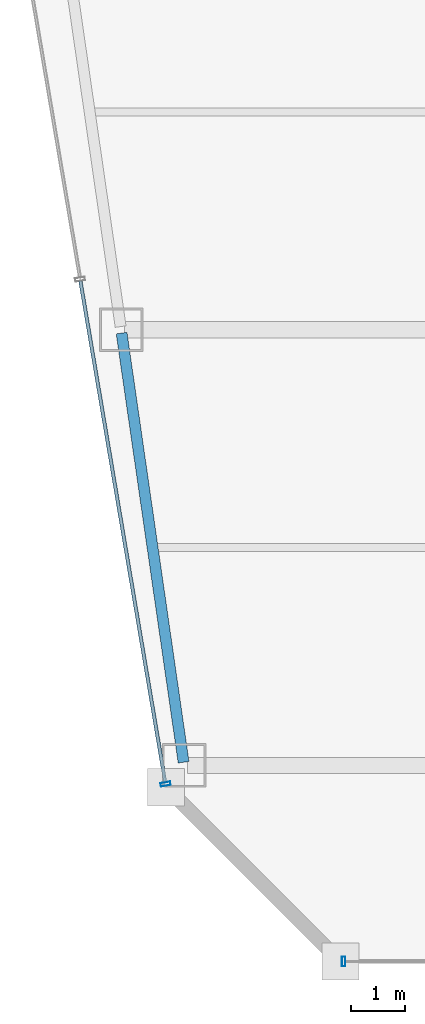
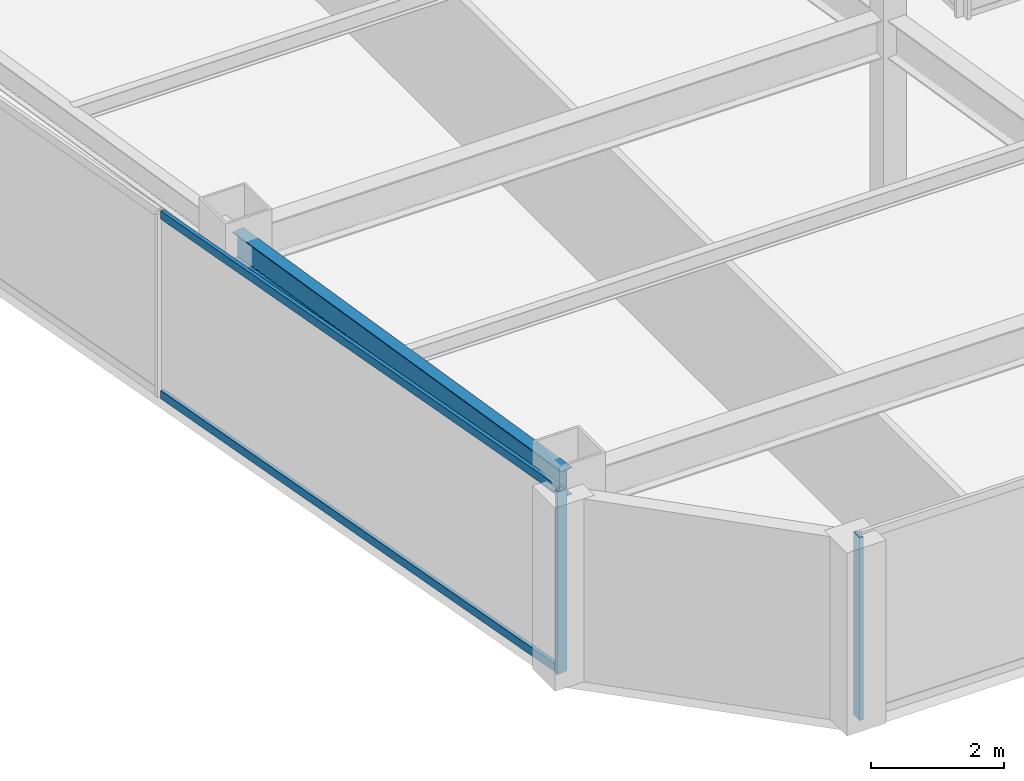
# One storey, part 3 of 34: 4 members, 1 beam, 2 elements without a shape of their own.
"""IFC4 building model written with IfcOpenShell, lengths in metres."""

from ifc_helpers import new_model, si_unit, direction, frame, origin, origin_2d, place, context, subcontext, project, spatial, hollow_rectangle, i_section, extrude, material, material_profile, profile_set, type_object, element, aggregate, save


model = new_model("IFC4")

# Units and contexts
model_context = context("Model", 3, precision=1e-05, world=origin(), true_north=direction((0.0, 1.0)))
body_context = subcontext(model_context, "Body", "Model", "MODEL_VIEW")
ifc_project = project(units=[si_unit("LENGTHUNIT", "METRE"), si_unit("AREAUNIT", "SQUARE_METRE"), si_unit("VOLUMEUNIT", "CUBIC_METRE"), si_unit("PLANEANGLEUNIT", "RADIAN"), si_unit("MASSUNIT", "GRAM", prefix="KILO")], contexts=[model_context])

# Site, building, storey
site_placement = place(None, origin())
site = spatial("IfcSite", under=ifc_project, at=site_placement, CompositionType="ELEMENT")
building_placement = place(site_placement, origin())
building = spatial("IfcBuilding", under=site, at=building_placement, Name="Saevonmaru Cultural Tower", CompositionType="ELEMENT")
storey_placement = place(building_placement, frame((0.0, 0.0, 220.800048828125)))
storey = spatial("IfcBuildingStorey", under=building, at=storey_placement, Name="L51", CompositionType="ELEMENT", Elevation=220.800048828125)

# Beam
ifc_material_1 = material(Name="Steel SM355", Category="steel")
ifc_material_profile_1 = material_profile(ifc_material_1, i_section(OverallWidth=0.199951171875, OverallDepth=0.5, WebThickness=0.010009765625, FlangeThickness=0.01611328125, FilletRadius=0.02001953125, at=origin_2d()), Name="H-500x200x10x16")
ifc_profile_set_1 = profile_set([ifc_material_profile_1], Name="Steel SM355")
beam_type = type_object("IfcBeamType", Name="BM-SP-H500", PredefinedType="SPANDREL", material=ifc_profile_set_1)
beam_placement = place(storey_placement, frame((10.619384765625, 16.059326171875, 3.099853515625), z_axis=(-0.142992129437, 0.989723825579, 0.0), x_axis=(-0.989723825579, -0.142992129437, 0.0)))
element("IfcBeam", 1, at=beam_placement, inside=storey, type_object=beam_type, Name="L51 West Splayed Spandrel 1", PredefinedType="SPANDREL", context=body_context, shape_type="SweptSolid", body=[
    extrude(i_section(OverallWidth=0.199951171875, OverallDepth=0.5, WebThickness=0.010009765625, FlangeThickness=0.01611328125, FilletRadius=0.02001953125, at=origin_2d()), origin(), (0.0, 0.0, 1.0), 7.963134765625),
])

# Curtain wall, member
ifc_material_2 = material(Name="Satin Bronze Anodised Aluminium", Category="aluminium")
curtain_wall_type = type_object("IfcCurtainWallType", Name="CW-TYP-B", PredefinedType="NOTDEFINED", material=ifc_material_2)
curtain_wall_1_placement = place(storey_placement, origin())
curtain_wall_1 = element("IfcCurtainWall", 2, at=curtain_wall_1_placement, inside=storey, type_object=curtain_wall_type, Name="L51 Unitised Curtain Wall E2", PredefinedType="NOTDEFINED")
ifc_material_profile_2 = material_profile(ifc_material_2, hollow_rectangle(XDim=0.06494140625, YDim=0.179931640625, WallThickness=0.00390625, at=origin_2d()), Name="ALU-MULL-180x65x4")
ifc_profile_set_2 = profile_set([ifc_material_profile_2], Name="Satin Bronze Anodised Aluminium")
member_type_1 = type_object("IfcMemberType", Name="ML-CW-180x65", PredefinedType="MULLION", material=ifc_profile_set_2)
member_1_placement = place(storey_placement, frame((13.557861328125, 12.39990234375, 0.0), z_axis=(0.0, 0.0, 1.0), x_axis=(1.0, 0.0, 0.0)))
member_1 = element("IfcMember", 3, at=member_1_placement, type_object=member_type_1, Name="CW-TW-L51-E2 mullion 1", PredefinedType="MULLION", context=body_context, shape_type="SweptSolid", body=[
    extrude(hollow_rectangle(XDim=0.06494140625, YDim=0.179931640625, WallThickness=0.00390625, at=origin_2d()), origin(), (0.0, 0.0, 1.0), 3.349853515625),
])
aggregate(curtain_wall_1, [member_1])

# Curtain wall, members
curtain_wall_2_placement = place(storey_placement, origin())
curtain_wall_2 = element("IfcCurtainWall", 4, at=curtain_wall_2_placement, inside=storey, type_object=curtain_wall_type, Name="L51 Unitised Curtain Wall E12", PredefinedType="NOTDEFINED")
member_2_placement = place(storey_placement, frame((10.287841796875, 15.6591796875, 0.0), z_axis=(0.0, 0.0, 1.0), x_axis=(0.16692169721, -0.985970155228, 0.0)))
member_2 = element("IfcMember", 5, at=member_2_placement, type_object=member_type_1, Name="CW-TW-L51-E12 mullion 5", PredefinedType="MULLION", context=body_context, shape_type="SweptSolid", body=[
    extrude(hollow_rectangle(XDim=0.06494140625, YDim=0.179931640625, WallThickness=0.00390625, at=origin_2d()), origin(), (0.0, 0.0, 1.0), 3.349853515625),
])
ifc_material_profile_3 = material_profile(ifc_material_2, hollow_rectangle(XDim=0.06494140625, YDim=0.14990234375, WallThickness=0.00390625, at=origin_2d()), Name="ALU-TRAN-150x65x4")
ifc_profile_set_3 = profile_set([ifc_material_profile_3], Name="Satin Bronze Anodised Aluminium")
member_type_2 = type_object("IfcMemberType", Name="TR-CW-150x65", PredefinedType="USERDEFINED", material=ifc_profile_set_3)
member_3_placement = place(storey_placement, frame((8.723876953125, 24.8974609375, 0.032470703125), z_axis=(0.166921263871, -0.985970228591, 0.0), x_axis=(0.985970228591, 0.166921263871, 0.0)))
member_3 = element("IfcMember", 6, at=member_3_placement, type_object=member_type_2, Name="CW-TW-L51-E12 transom 4.1", ObjectType="TRANSOM", PredefinedType="USERDEFINED", context=body_context, shape_type="SweptSolid", body=[
    extrude(hollow_rectangle(XDim=0.06494140625, YDim=0.14990234375, WallThickness=0.00390625, at=origin_2d()), origin(), (0.0, 0.0, 1.0), 9.33740234375),
])
member_4_placement = place(storey_placement, frame((8.723876953125, 24.8974609375, 3.3173828125), z_axis=(0.166921263871, -0.985970228591, 0.0), x_axis=(0.985970228591, 0.166921263871, 0.0)))
member_4 = element("IfcMember", 7, at=member_4_placement, type_object=member_type_2, Name="CW-TW-L51-E12 transom 4.2", ObjectType="TRANSOM", PredefinedType="USERDEFINED", context=body_context, shape_type="SweptSolid", body=[
    extrude(hollow_rectangle(XDim=0.06494140625, YDim=0.14990234375, WallThickness=0.00390625, at=origin_2d()), origin(), (0.0, 0.0, 1.0), 9.33740234375),
])
aggregate(curtain_wall_2, [member_2, member_3, member_4])

save(model, "model.ifc")
